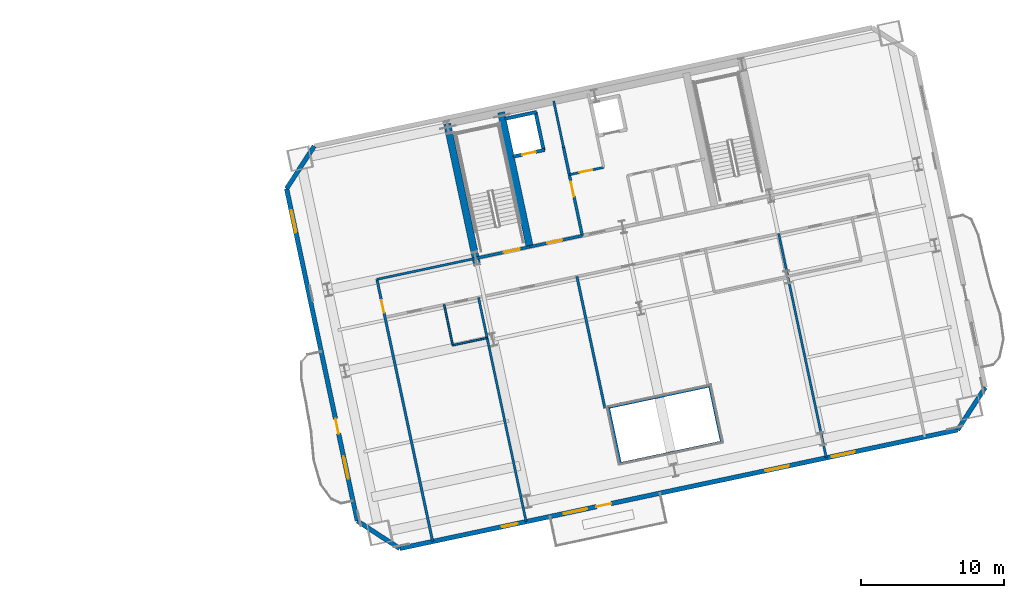
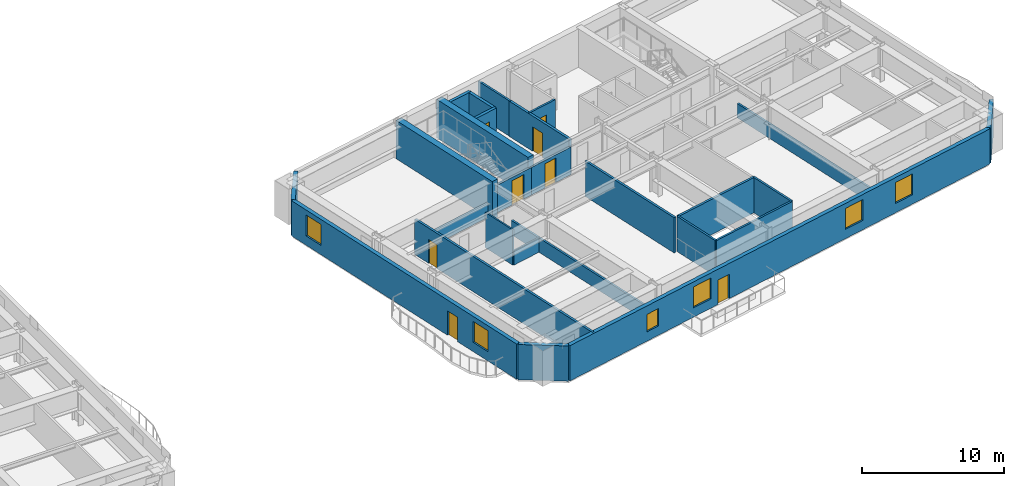
# One storey, part 9 of 16: 26 walls, 8 doors, 6 windows, 14 openings.
"""IFC4 building model written with IfcOpenShell, lengths in metres."""

from ifc_helpers import new_model, si_unit, direction, frame, frame_2d, origin, place, context, subcontext, project, spatial, rectangle, extrude, material, layer, layer_set, type_object, element, fill, save


model = new_model("IFC4")

# Units and contexts
model_context = context("Model", 3, precision=1e-05, world=origin(), true_north=direction((0.0, 1.0)))
body_context = subcontext(model_context, "Body", "Model", "MODEL_VIEW")
ifc_project = project(units=[si_unit("LENGTHUNIT", "METRE"), si_unit("AREAUNIT", "SQUARE_METRE"), si_unit("VOLUMEUNIT", "CUBIC_METRE"), si_unit("PLANEANGLEUNIT", "RADIAN"), si_unit("MASSUNIT", "GRAM", prefix="KILO")], contexts=[model_context])

# Site, building, storey
site_placement = place(None, origin())
site = spatial("IfcSite", under=ifc_project, at=site_placement, CompositionType="ELEMENT")
building_placement = place(site_placement, origin())
building = spatial("IfcBuilding", under=site, at=building_placement, Name="Haevon Station Towers", CompositionType="ELEMENT")
storey_placement = place(building_placement, frame((0.0, 0.0, 90.0)))
storey = spatial("IfcBuildingStorey", under=building, at=storey_placement, Name="L23", CompositionType="ELEMENT", Elevation=90.0)

# Wall, opening, door
ifc_material_1 = material(Name="Gypsum board on steel stud", Category="steel")
ifc_layer_1 = layer(ifc_material_1, 0.179931640625)
ifc_layer_set_1 = layer_set([ifc_layer_1], Name="Gypsum board on steel stud")
wall_type_1 = type_object("IfcWallType", Name="WL-ACU180", PredefinedType="PARTITIONING", material=ifc_layer_set_1)
wall_1_placement = place(storey_placement, frame((95.744384765625, 17.685302734375, 0.0), z_axis=(0.0, 0.0, 1.0), x_axis=(-0.207912313426, 0.978147468394, 0.0)))
wall_1 = element("IfcWall", 1, at=wall_1_placement, inside=storey, type_object=wall_type_1, Name="WL-T2PT-L23-03", PredefinedType="PARTITIONING", context=body_context, shape_type="SweptSolid", body=[
    extrude(rectangle(XDim=18.699951171875, YDim=0.179931640625, at=frame_2d((9.35009765625, 0.0))), origin(), (0.0, 0.0, 1.0), 3.030029296875),
])
opening_1_placement = place(wall_1_placement, frame((16.320068359375, 0.0, 0.0)))
opening_1 = element("IfcOpeningElement", 2, at=opening_1_placement, cuts=wall_1, Name="Opening DR-WL-T2PT-L23-03-01", PredefinedType="OPENING", context=body_context, shape_type="SweptSolid", body=[
    extrude(rectangle(XDim=0.89990234375, YDim=2.050048828125, at=frame_2d((0.449951171875, 1.02490234375))), frame((0.0, 0.099853515625, 0.0), z_axis=(0.0, -1.0, 0.0), x_axis=(1.0, 0.0, 0.0)), (0.0, 0.0, 1.0), 0.199951171875),
])
ifc_material_2 = material(Name="Engineered oak timber", Category="wood")
door_type_1 = type_object("IfcDoorType", Name="DR-INT-900", OperationType="NOTDEFINED", PredefinedType="DOOR", material=ifc_material_2)
door_1_placement = place(opening_1_placement, origin())
door_1 = element("IfcDoor", 3, at=door_1_placement, inside=storey, type_object=door_type_1, Name="L23 Tower 2 Room Door 3-1", OperationType="SINGLE_SWING_LEFT", OverallHeight=2.050048828125, OverallWidth=0.89990234375, PredefinedType="DOOR", context=body_context, shape_type="SweptSolid", body=[
    extrude(rectangle(XDim=0.89990234375, YDim=2.050048828125, at=frame_2d((0.449951171875, 1.02490234375))), frame((0.0, 0.02490234375, 0.0), z_axis=(0.0, -1.0, 0.0), x_axis=(1.0, 0.0, 0.0)), (0.0, 0.0, 1.0), 0.050048828125),
])
fill(opening_1, door_1)

# Walls
wall_2_placement = place(storey_placement, frame((108.017333984375, 27.04150390625, 0.0), z_axis=(0.0, 0.0, 1.0), x_axis=(0.978151869997, 0.207891604498, 0.0)))
element("IfcWall", 4, at=wall_2_placement, inside=storey, type_object=wall_type_1, Name="WL-T2PT-L23-06", PredefinedType="PARTITIONING", context=body_context, shape_type="SweptSolid", body=[
    extrude(rectangle(XDim=7.199951171875, YDim=0.179931640625, at=frame_2d((3.60009765625, 0.0))), origin(), (0.0, 0.0, 1.0), 3.030029296875),
])
wall_3_placement = place(storey_placement, frame((107.761962890625, 26.987060546875, 0.0), z_axis=(0.0, 0.0, 1.0), x_axis=(-0.207909388017, 0.978148090206, 0.0)))
element("IfcWall", 5, at=wall_3_placement, inside=storey, type_object=wall_type_1, Name="WL-T2PT-L23-12", PredefinedType="PARTITIONING", context=body_context, shape_type="SweptSolid", body=[
    extrude(rectangle(XDim=9.39990234375, YDim=0.179931640625, at=frame_2d((4.699951171875, 0.0))), origin(), (0.0, 0.0, 1.0), 3.030029296875),
])

# Wall, opening, door
ifc_layer_2 = layer(ifc_material_1, 0.199951171875)
ifc_layer_set_2 = layer_set([ifc_layer_2], Name="Gypsum board on steel stud")
wall_type_2 = type_object("IfcWallType", Name="WL-COR200", PredefinedType="PARTITIONING", material=ifc_layer_set_2)
wall_4_placement = place(storey_placement, frame((98.75244140625, 37.4423828125, 0.0), z_axis=(0.0, 0.0, 1.0), x_axis=(0.978143537786, 0.207930804564, 0.0)))
wall_4 = element("IfcWall", 6, at=wall_4_placement, inside=storey, type_object=wall_type_2, Name="WL-ST-ST3-L23", PredefinedType="PARTITIONING", context=body_context, shape_type="SweptSolid", body=[
    extrude(rectangle(XDim=3.85009765625, YDim=0.199951171875, at=frame_2d((1.925048828125, 0.0))), origin(), (0.0, 0.0, 1.0), 2.3798828125),
])
opening_2_placement = place(wall_4_placement, frame((2.0, 0.0, 0.0)))
opening_2 = element("IfcOpeningElement", 7, at=opening_2_placement, cuts=wall_4, Name="Opening DR-ST-ST3-L23", PredefinedType="OPENING", context=body_context, shape_type="SweptSolid", body=[
    extrude(rectangle(XDim=1.1201171875, YDim=2.10009765625, at=frame_2d((0.56005859375, 1.050048828125))), frame((0.0, 0.10986328125, 0.0), z_axis=(0.0, -1.0, 0.0), x_axis=(1.0, 0.0, 0.0)), (0.0, 0.0, 1.0), 0.219970703125),
])
door_type_2 = type_object("IfcDoorType", Name="DR-ST-1120", OperationType="NOTDEFINED", PredefinedType="DOOR", material=ifc_material_2)
door_2_placement = place(opening_2_placement, origin())
door_2 = element("IfcDoor", 8, at=door_2_placement, inside=storey, type_object=door_type_2, Name="L23 Escape Stair ST3 Fire Door", OperationType="SINGLE_SWING_LEFT", OverallHeight=2.10009765625, OverallWidth=1.1201171875, PredefinedType="DOOR", context=body_context, shape_type="SweptSolid", body=[
    extrude(rectangle(XDim=1.1201171875, YDim=2.10009765625, at=frame_2d((0.56005859375, 1.050048828125))), frame((0.0, 0.02490234375, 0.0), z_axis=(0.0, -1.0, 0.0), x_axis=(1.0, 0.0, 0.0)), (0.0, 0.0, 1.0), 0.050048828125),
])
fill(opening_2, door_2)

wall_5_placement = place(storey_placement, frame((106.186279296875, 39.0224609375, 0.0), z_axis=(0.0, 0.0, 1.0), x_axis=(-0.207916691923, 0.978146537703, 0.0)))
wall_5 = element("IfcWall", 9, at=wall_5_placement, inside=storey, type_object=wall_type_2, Name="WL-T2FFL-L23-E", PredefinedType="PARTITIONING", context=body_context, shape_type="SweptSolid", body=[
    extrude(rectangle(XDim=6.35009765625, YDim=0.199951171875, at=frame_2d((3.175048828125, 0.0))), origin(), (0.0, 0.0, 1.0), 3.030029296875),
])
opening_3_placement = place(wall_5_placement, frame((2.800048828125, 0.0, 0.0)))
opening_3 = element("IfcOpeningElement", 10, at=opening_3_placement, cuts=wall_5, Name="Opening DR-T2FFL-L23-E", PredefinedType="OPENING", context=body_context, shape_type="SweptSolid", body=[
    extrude(rectangle(XDim=1.050048828125, YDim=2.10009765625, at=frame_2d((0.52490234375, 1.050048828125))), frame((0.0, 0.10986328125, 0.0), z_axis=(0.0, -1.0, 0.0), x_axis=(1.0, 0.0, 0.0)), (0.0, 0.0, 1.0), 0.219970703125),
])
door_type_3 = type_object("IfcDoorType", Name="DR-FD60-1050", OperationType="NOTDEFINED", PredefinedType="DOOR", material=ifc_material_2)
door_3_placement = place(opening_3_placement, origin())
door_3 = element("IfcDoor", 11, at=door_3_placement, inside=storey, type_object=door_type_3, Name="L23 Tower 2 Firefighting Lift Lobby Door E", OperationType="SINGLE_SWING_LEFT", OverallHeight=2.10009765625, OverallWidth=1.050048828125, PredefinedType="DOOR", context=body_context, shape_type="SweptSolid", body=[
    extrude(rectangle(XDim=1.050048828125, YDim=2.10009765625, at=frame_2d((0.52490234375, 1.050048828125))), frame((0.0, 0.02490234375, 0.0), z_axis=(0.0, -1.0, 0.0), x_axis=(1.0, 0.0, 0.0)), (0.0, 0.0, 1.0), 0.050048828125),
])
fill(opening_3, door_3)

wall_6_placement = place(storey_placement, frame((102.518310546875, 38.242919921875, 0.0), z_axis=(0.0, 0.0, 1.0), x_axis=(0.978153555683, 0.20788367301, 0.0)))
wall_6 = element("IfcWall", 12, at=wall_6_placement, inside=storey, type_object=wall_type_2, Name="WL-T2FFL-L23-S", PredefinedType="PARTITIONING", context=body_context, shape_type="SweptSolid", body=[
    extrude(rectangle(XDim=3.75, YDim=0.199951171875, at=frame_2d((1.875, 0.0))), origin(), (0.0, 0.0, 1.0), 2.3798828125),
])
opening_4_placement = place(wall_6_placement, frame((1.25, 0.0, 0.0)))
opening_4 = element("IfcOpeningElement", 13, at=opening_4_placement, cuts=wall_6, Name="Opening DR-T2FFL-L23-S", PredefinedType="OPENING", context=body_context, shape_type="SweptSolid", body=[
    extrude(rectangle(XDim=1.050048828125, YDim=2.10009765625, at=frame_2d((0.52490234375, 1.050048828125))), frame((0.0, 0.10986328125, 0.0), z_axis=(0.0, -1.0, 0.0), x_axis=(1.0, 0.0, 0.0)), (0.0, 0.0, 1.0), 0.219970703125),
])
door_4_placement = place(opening_4_placement, origin())
door_4 = element("IfcDoor", 14, at=door_4_placement, inside=storey, type_object=door_type_3, Name="L23 Tower 2 Firefighting Lift Lobby Door S", OperationType="SINGLE_SWING_RIGHT", OverallHeight=2.10009765625, OverallWidth=1.050048828125, PredefinedType="DOOR", context=body_context, shape_type="SweptSolid", body=[
    extrude(rectangle(XDim=1.050048828125, YDim=2.10009765625, at=frame_2d((0.52490234375, 1.050048828125))), frame((0.0, 0.02490234375, 0.0), z_axis=(0.0, -1.0, 0.0), x_axis=(1.0, 0.0, 0.0)), (0.0, 0.0, 1.0), 0.050048828125),
])
fill(opening_4, door_4)

# Walls
ifc_material_3 = material(Name="Concrete C60/75", Category="concrete")
ifc_layer_3 = layer(ifc_material_3, 0.5)
ifc_layer_set_3 = layer_set([ifc_layer_3], Name="Concrete C60/75")
wall_type_3 = type_object("IfcWallType", Name="WL-CR500", PredefinedType="SHEAR", material=ifc_layer_set_3)
wall_7_placement = place(storey_placement, frame((98.8603515625, 36.933837890625, 0.0), z_axis=(0.0, 0.0, 1.0), x_axis=(-0.20790924889, 0.978148119778, 0.0)))
element("IfcWall", 15, at=wall_7_placement, inside=storey, type_object=wall_type_3, Name="WL-T2CR-L23-W", PredefinedType="SHEAR", context=body_context, shape_type="SweptSolid", body=[
    extrude(rectangle(XDim=10.119873046875, YDim=0.5, at=frame_2d((5.06005859375, 0.0))), origin(), (0.0, 0.0, 1.0), 3.300048828125),
])
wall_8_placement = place(storey_placement, frame((102.518310546875, 38.242919921875, 0.0), z_axis=(0.0, 0.0, 1.0), x_axis=(-0.207927495108, 0.978144241295, 0.0)))
element("IfcWall", 16, at=wall_8_placement, inside=storey, type_object=wall_type_3, Name="WL-T2CR-L23-M1", PredefinedType="SHEAR", context=body_context, shape_type="SweptSolid", body=[
    extrude(rectangle(XDim=9.599853515625, YDim=0.5, at=frame_2d((4.7998046875, 0.0))), origin(), (0.0, 0.0, 1.0), 3.300048828125),
])

# Wall, openings, door, windows
ifc_material_4 = material(Name="Precast concrete C45/55", Category="concrete")
ifc_layer_4 = layer(ifc_material_4, 0.320068359375)
ifc_layer_set_4 = layer_set([ifc_layer_4], Name="Precast concrete C45/55")
wall_type_4 = type_object("IfcWallType", Name="WL-EXT-PIER320", PredefinedType="SOLIDWALL", material=ifc_layer_set_4)
wall_9_placement = place(storey_placement, frame((132.3759765625, 25.4716796875, 0.0), z_axis=(0.0, 0.0, 1.0), x_axis=(-0.978147406386, -0.20791260515, 0.0)))
wall_9 = element("IfcWall", 17, at=wall_9_placement, inside=storey, type_object=wall_type_4, Name="WL-T2-L23-S", PredefinedType="SOLIDWALL", context=body_context, shape_type="SweptSolid", body=[
    extrude(rectangle(XDim=39.7998046875, YDim=0.320068359375, at=frame_2d((19.89990234375, 0.0))), origin(), (0.0, 0.0, 1.0), 3.030029296875),
])
opening_5_placement = place(wall_9_placement, frame((24.71826171875, 0.0, 0.0)))
opening_5 = element("IfcOpeningElement", 18, at=opening_5_placement, cuts=wall_9, Name="Opening DR-T2-PBAND-L23-1", PredefinedType="OPENING", context=body_context, shape_type="SweptSolid", body=[
    extrude(rectangle(XDim=1.050048828125, YDim=2.10009765625, at=frame_2d((0.52490234375, 1.050048828125))), frame((0.0, 0.169921875, 0.0), z_axis=(0.0, -1.0, 0.0), x_axis=(1.0, 0.0, 0.0)), (0.0, 0.0, 1.0), 0.340087890625),
])
opening_6_placement = place(wall_9_placement, frame((31.4013671875, 0.0, 0.800048828125)))
opening_6 = element("IfcOpeningElement", 19, at=opening_6_placement, cuts=wall_9, Name="Opening WN-COR110", PredefinedType="OPENING", context=body_context, shape_type="SweptSolid", body=[
    extrude(rectangle(XDim=1.10009765625, YDim=1.5, at=frame_2d((0.550048828125, 0.75))), frame((0.0, 0.169921875, 0.0), z_axis=(0.0, -1.0, 0.0), x_axis=(1.0, 0.0, 0.0)), (0.0, 0.0, 1.0), 0.340087890625),
])
opening_7_placement = place(wall_9_placement, frame((26.446044921875, 0.0, 0.800048828125)))
opening_7 = element("IfcOpeningElement", 20, at=opening_7_placement, cuts=wall_9, Name="Opening WN-P165", PredefinedType="OPENING", context=body_context, shape_type="SweptSolid", body=[
    extrude(rectangle(XDim=1.64990234375, YDim=1.800048828125, at=frame_2d((0.824951171875, 0.89990234375))), frame((0.0, 0.169921875, 0.0), z_axis=(0.0, -1.0, 0.0), x_axis=(1.0, 0.0, 0.0)), (0.0, 0.0, 1.0), 0.340087890625),
])
opening_8_placement = place(wall_9_placement, frame((12.054931640625, 0.0, 0.800048828125)))
opening_8 = element("IfcOpeningElement", 21, at=opening_8_placement, cuts=wall_9, Name="Opening WN-P165", PredefinedType="OPENING", context=body_context, shape_type="SweptSolid", body=[
    extrude(rectangle(XDim=1.64990234375, YDim=1.800048828125, at=frame_2d((0.824951171875, 0.89990234375))), frame((0.0, 0.169921875, 0.0), z_axis=(0.0, -1.0, 0.0), x_axis=(1.0, 0.0, 0.0)), (0.0, 0.0, 1.0), 0.340087890625),
])
opening_9_placement = place(wall_9_placement, frame((7.340087890625, 0.0, 0.800048828125)))
opening_9 = element("IfcOpeningElement", 22, at=opening_9_placement, cuts=wall_9, Name="Opening WN-P165", PredefinedType="OPENING", context=body_context, shape_type="SweptSolid", body=[
    extrude(rectangle(XDim=1.64990234375, YDim=1.800048828125, at=frame_2d((0.824951171875, 0.89990234375))), frame((0.0, 0.169921875, 0.0), z_axis=(0.0, -1.0, 0.0), x_axis=(1.0, 0.0, 0.0)), (0.0, 0.0, 1.0), 0.340087890625),
])
ifc_material_5 = material(Name="Thermally broken anodised aluminium and laminated safety glass", Category="aluminium")
door_type_4 = type_object("IfcDoorType", Name="DR-BALC-1050", OperationType="NOTDEFINED", PredefinedType="DOOR", material=ifc_material_5)
door_5_placement = place(opening_5_placement, origin())
door_5 = element("IfcDoor", 23, at=door_5_placement, inside=storey, type_object=door_type_4, Name="Tower 2 L23 Balcony Terrace Door", OperationType="SINGLE_SWING_LEFT", OverallHeight=2.10009765625, OverallWidth=1.050048828125, PredefinedType="DOOR", context=body_context, shape_type="SweptSolid", body=[
    extrude(rectangle(XDim=1.050048828125, YDim=2.10009765625, at=frame_2d((0.52490234375, 1.050048828125))), frame((0.0, 0.02490234375, 0.0), z_axis=(0.0, -1.0, 0.0), x_axis=(1.0, 0.0, 0.0)), (0.0, 0.0, 1.0), 0.050048828125),
])
fill(opening_5, door_5)
ifc_material_6 = material(Name="Low-E triple glazing in thermally broken aluminium", Category="aluminium")
window_type_1 = type_object("IfcWindowType", Name="WN-COR110", PartitioningType="SINGLE_PANEL", PredefinedType="WINDOW", material=ifc_material_6)
window_1_placement = place(opening_6_placement, origin())
window_1 = element("IfcWindow", 24, at=window_1_placement, inside=storey, type_object=window_type_1, Name="WN-T2-L23-S01", OverallHeight=1.5, OverallWidth=1.10009765625, PartitioningType="SINGLE_PANEL", PredefinedType="WINDOW", context=body_context, shape_type="SweptSolid", body=[
    extrude(rectangle(XDim=1.10009765625, YDim=1.5, at=frame_2d((0.550048828125, 0.75))), frame((0.0, 0.030029296875, 0.0), z_axis=(0.0, -1.0, 0.0), x_axis=(1.0, 0.0, 0.0)), (0.0, 0.0, 1.0), 0.06005859375),
])
fill(opening_6, window_1)
window_type_2 = type_object("IfcWindowType", Name="WN-P165", PartitioningType="SINGLE_PANEL", PredefinedType="WINDOW", material=ifc_material_6)
window_2_placement = place(opening_7_placement, origin())
window_2 = element("IfcWindow", 25, at=window_2_placement, inside=storey, type_object=window_type_2, Name="WN-T2-L23-S02", OverallHeight=1.800048828125, OverallWidth=1.64990234375, PartitioningType="SINGLE_PANEL", PredefinedType="WINDOW", context=body_context, shape_type="SweptSolid", body=[
    extrude(rectangle(XDim=1.64990234375, YDim=1.800048828125, at=frame_2d((0.824951171875, 0.89990234375))), frame((0.0, 0.030029296875, 0.0), z_axis=(0.0, -1.0, 0.0), x_axis=(1.0, 0.0, 0.0)), (0.0, 0.0, 1.0), 0.06005859375),
])
fill(opening_7, window_2)
window_3_placement = place(opening_8_placement, origin())
window_3 = element("IfcWindow", 26, at=window_3_placement, inside=storey, type_object=window_type_2, Name="WN-T2-L23-S03", OverallHeight=1.800048828125, OverallWidth=1.64990234375, PartitioningType="SINGLE_PANEL", PredefinedType="WINDOW", context=body_context, shape_type="SweptSolid", body=[
    extrude(rectangle(XDim=1.64990234375, YDim=1.800048828125, at=frame_2d((0.824951171875, 0.89990234375))), frame((0.0, 0.030029296875, 0.0), z_axis=(0.0, -1.0, 0.0), x_axis=(1.0, 0.0, 0.0)), (0.0, 0.0, 1.0), 0.06005859375),
])
fill(opening_8, window_3)
window_4_placement = place(opening_9_placement, origin())
window_4 = element("IfcWindow", 27, at=window_4_placement, inside=storey, type_object=window_type_2, Name="WN-T2-L23-S04", OverallHeight=1.800048828125, OverallWidth=1.64990234375, PartitioningType="SINGLE_PANEL", PredefinedType="WINDOW", context=body_context, shape_type="SweptSolid", body=[
    extrude(rectangle(XDim=1.64990234375, YDim=1.800048828125, at=frame_2d((0.824951171875, 0.89990234375))), frame((0.0, 0.030029296875, 0.0), z_axis=(0.0, -1.0, 0.0), x_axis=(1.0, 0.0, 0.0)), (0.0, 0.0, 1.0), 0.06005859375),
])
fill(opening_9, window_4)

# Wall
wall_10_placement = place(storey_placement, frame((93.44580078125, 17.19677734375, 0.0), z_axis=(0.0, 0.0, 1.0), x_axis=(-0.838692791597, 0.544604812064, 0.0)))
element("IfcWall", 28, at=wall_10_placement, inside=storey, type_object=wall_type_4, Name="WL-T2-L23-SWC", PredefinedType="SOLIDWALL", context=body_context, shape_type="SweptSolid", body=[
    extrude(rectangle(XDim=3.53564453125, YDim=0.320068359375, at=frame_2d((1.767822265625, 0.0))), origin(), (0.0, 0.0, 1.0), 3.030029296875),
])

# Wall, openings, door, windows
wall_11_placement = place(storey_placement, frame((90.48046875, 19.122314453125, 0.0), z_axis=(0.0, 0.0, 1.0), x_axis=(-0.20791074704, 0.978147801339, 0.0)))
wall_11 = element("IfcWall", 29, at=wall_11_placement, inside=storey, type_object=wall_type_4, Name="WL-T2-L23-W", PredefinedType="SOLIDWALL", context=body_context, shape_type="SweptSolid", body=[
    extrude(rectangle(XDim=23.699951171875, YDim=0.320068359375, at=frame_2d((11.85009765625, 0.0))), origin(), (0.0, 0.0, 1.0), 3.030029296875),
])
opening_10_placement = place(wall_11_placement, frame((6.22509765625, 0.0, 0.0)))
opening_10 = element("IfcOpeningElement", 30, at=opening_10_placement, cuts=wall_11, Name="Opening DR-T2-SCAL-L23-W", PredefinedType="OPENING", context=body_context, shape_type="SweptSolid", body=[
    extrude(rectangle(XDim=1.050048828125, YDim=2.10009765625, at=frame_2d((0.52490234375, 1.050048828125))), frame((0.0, 0.169921875, 0.0), z_axis=(0.0, -1.0, 0.0), x_axis=(1.0, 0.0, 0.0)), (0.0, 0.0, 1.0), 0.340087890625),
])
opening_11_placement = place(wall_11_placement, frame((2.996337890625, 0.0, 0.800048828125)))
opening_11 = element("IfcOpeningElement", 31, at=opening_11_placement, cuts=wall_11, Name="Opening WN-END160", PredefinedType="OPENING", context=body_context, shape_type="SweptSolid", body=[
    extrude(rectangle(XDim=1.60009765625, YDim=1.800048828125, at=frame_2d((0.800048828125, 0.89990234375))), frame((0.0, 0.169921875, 0.0), z_axis=(0.0, -1.0, 0.0), x_axis=(1.0, 0.0, 0.0)), (0.0, 0.0, 1.0), 0.340087890625),
])
opening_12_placement = place(wall_11_placement, frame((20.56787109375, 0.0, 0.800048828125)))
opening_12 = element("IfcOpeningElement", 32, at=opening_12_placement, cuts=wall_11, Name="Opening WN-END160", PredefinedType="OPENING", context=body_context, shape_type="SweptSolid", body=[
    extrude(rectangle(XDim=1.60009765625, YDim=1.800048828125, at=frame_2d((0.800048828125, 0.89990234375))), frame((0.0, 0.169921875, 0.0), z_axis=(0.0, -1.0, 0.0), x_axis=(1.0, 0.0, 0.0)), (0.0, 0.0, 1.0), 0.340087890625),
])
door_6_placement = place(opening_10_placement, origin())
door_6 = element("IfcDoor", 33, at=door_6_placement, inside=storey, type_object=door_type_4, Name="Tower 2 L23 West Scalloped Balcony Door", OperationType="SINGLE_SWING_RIGHT", OverallHeight=2.10009765625, OverallWidth=1.050048828125, PredefinedType="DOOR", context=body_context, shape_type="SweptSolid", body=[
    extrude(rectangle(XDim=1.050048828125, YDim=2.10009765625, at=frame_2d((0.52490234375, 1.050048828125))), frame((0.0, 0.02490234375, 0.0), z_axis=(0.0, -1.0, 0.0), x_axis=(1.0, 0.0, 0.0)), (0.0, 0.0, 1.0), 0.050048828125),
])
fill(opening_10, door_6)
window_type_3 = type_object("IfcWindowType", Name="WN-END160", PartitioningType="SINGLE_PANEL", PredefinedType="WINDOW", material=ifc_material_6)
window_5_placement = place(opening_11_placement, origin())
window_5 = element("IfcWindow", 34, at=window_5_placement, inside=storey, type_object=window_type_3, Name="WN-T2-L23-W01", OverallHeight=1.800048828125, OverallWidth=1.60009765625, PartitioningType="SINGLE_PANEL", PredefinedType="WINDOW", context=body_context, shape_type="SweptSolid", body=[
    extrude(rectangle(XDim=1.60009765625, YDim=1.800048828125, at=frame_2d((0.800048828125, 0.89990234375))), frame((0.0, 0.030029296875, 0.0), z_axis=(0.0, -1.0, 0.0), x_axis=(1.0, 0.0, 0.0)), (0.0, 0.0, 1.0), 0.06005859375),
])
fill(opening_11, window_5)
window_6_placement = place(opening_12_placement, origin())
window_6 = element("IfcWindow", 35, at=window_6_placement, inside=storey, type_object=window_type_3, Name="WN-T2-L23-W02", OverallHeight=1.800048828125, OverallWidth=1.60009765625, PartitioningType="SINGLE_PANEL", PredefinedType="WINDOW", context=body_context, shape_type="SweptSolid", body=[
    extrude(rectangle(XDim=1.60009765625, YDim=1.800048828125, at=frame_2d((0.800048828125, 0.89990234375))), frame((0.0, 0.030029296875, 0.0), z_axis=(0.0, -1.0, 0.0), x_axis=(1.0, 0.0, 0.0)), (0.0, 0.0, 1.0), 0.06005859375),
])
fill(opening_12, window_6)

# Walls
wall_12_placement = place(storey_placement, frame((85.552978515625, 42.304443359375, 0.0), z_axis=(0.0, 0.0, 1.0), x_axis=(0.544684921471, 0.838640767148, 0.0)))
element("IfcWall", 36, at=wall_12_placement, inside=storey, type_object=wall_type_4, Name="WL-T2-L23-NWC", PredefinedType="SOLIDWALL", context=body_context, shape_type="SweptSolid", body=[
    extrude(rectangle(XDim=3.53564453125, YDim=0.320068359375, at=frame_2d((1.767822265625, 0.0))), origin(), (0.0, 0.0, 1.0), 3.030029296875),
])
wall_13_placement = place(storey_placement, frame((134.301513671875, 28.436767578125, 0.0), z_axis=(0.0, 0.0, 1.0), x_axis=(-0.544636352948, -0.838672309694, 0.0)))
element("IfcWall", 37, at=wall_13_placement, inside=storey, type_object=wall_type_4, Name="WL-T2-L23-SEC", PredefinedType="SOLIDWALL", context=body_context, shape_type="SweptSolid", body=[
    extrude(rectangle(XDim=3.535400390625, YDim=0.320068359375, at=frame_2d((1.767578125, 0.0))), origin(), (0.0, 0.0, 1.0), 3.030029296875),
])
ifc_layer_5 = layer(ifc_material_1, 0.125)
ifc_layer_set_5 = layer_set([ifc_layer_5], Name="Gypsum board on steel stud")
wall_type_5 = type_object("IfcWallType", Name="WL-PRT125", PredefinedType="PARTITIONING", material=ifc_layer_set_5)
wall_14_placement = place(storey_placement, frame((97.1474609375, 31.376220703125, 0.0), z_axis=(0.0, 0.0, 1.0), x_axis=(0.978156824814, 0.207868290196, 0.0)))
element("IfcWall", 38, at=wall_14_placement, inside=storey, type_object=wall_type_5, Name="WL-T2PT-L23-09", PredefinedType="PARTITIONING", context=body_context, shape_type="SweptSolid", body=[
    extrude(rectangle(XDim=2.449951171875, YDim=0.125, at=frame_2d((1.22509765625, 0.0))), origin(), (0.0, 0.0, 1.0), 1.22998046875),
])
wall_15_placement = place(storey_placement, frame((97.1474609375, 31.376220703125, 0.0), z_axis=(0.0, 0.0, 1.0), x_axis=(-0.207855735235, 0.978159492787, 0.0)))
element("IfcWall", 39, at=wall_15_placement, inside=storey, type_object=wall_type_5, Name="WL-T2PT-L23-10", PredefinedType="PARTITIONING", context=body_context, shape_type="SweptSolid", body=[
    extrude(rectangle(XDim=2.89990234375, YDim=0.125, at=frame_2d((1.449951171875, 0.0))), origin(), (0.0, 0.0, 1.0), 3.030029296875),
])
ifc_layer_6 = layer(ifc_material_1, 0.159912109375)
ifc_layer_set_6 = layer_set([ifc_layer_6], Name="Gypsum board on steel stud")
wall_type_6 = type_object("IfcWallType", Name="WL-PRT160", PredefinedType="PARTITIONING", material=ifc_layer_set_6)
wall_16_placement = place(storey_placement, frame((104.88671875, 45.135986328125, 0.0), z_axis=(0.0, 0.0, 1.0), x_axis=(-0.207846553267, 0.978161443881, 0.0)))
element("IfcWall", 40, at=wall_16_placement, inside=storey, type_object=wall_type_6, Name="WL-T2CW-L23-01", PredefinedType="PARTITIONING", context=body_context, shape_type="SweptSolid", body=[
    extrude(rectangle(XDim=3.35009765625, YDim=0.159912109375, at=frame_2d((1.675048828125, 0.0))), origin(), (0.0, 0.0, 1.0), 3.030029296875),
])

# Wall, opening, door
wall_17_placement = place(storey_placement, frame((105.28173828125, 43.277587890625, 0.0), z_axis=(0.0, 0.0, 1.0), x_axis=(0.978156824814, 0.207868290196, 0.0)))
wall_17 = element("IfcWall", 41, at=wall_17_placement, inside=storey, type_object=wall_type_6, Name="WL-T2CW-L23-02", PredefinedType="PARTITIONING", context=body_context, shape_type="SweptSolid", body=[
    extrude(rectangle(XDim=2.449951171875, YDim=0.159912109375, at=frame_2d((1.22509765625, 0.0))), origin(), (0.0, 0.0, 1.0), 3.030029296875),
])
opening_13_placement = place(wall_17_placement, frame((0.719970703125, 0.0, 0.0)))
opening_13 = element("IfcOpeningElement", 42, at=opening_13_placement, cuts=wall_17, Name="Opening DR-WL-T2CW-L23-02-1", PredefinedType="OPENING", context=body_context, shape_type="SweptSolid", body=[
    extrude(rectangle(XDim=0.89990234375, YDim=2.10009765625, at=frame_2d((0.449951171875, 1.050048828125))), frame((0.0, 0.08984375, 0.0), z_axis=(0.0, -1.0, 0.0), x_axis=(1.0, 0.0, 0.0)), (0.0, 0.0, 1.0), 0.179931640625),
])
door_type_5 = type_object("IfcDoorType", Name="DR-FD60-900", OperationType="NOTDEFINED", PredefinedType="DOOR", material=ifc_material_2)
door_7_placement = place(opening_13_placement, origin())
door_7 = element("IfcDoor", 43, at=door_7_placement, inside=storey, type_object=door_type_5, Name="L23 Tower 2 Core Room Door 2-1", OperationType="SINGLE_SWING_LEFT", OverallHeight=2.10009765625, OverallWidth=0.89990234375, PredefinedType="DOOR", context=body_context, shape_type="SweptSolid", body=[
    extrude(rectangle(XDim=0.89990234375, YDim=2.10009765625, at=frame_2d((0.449951171875, 1.050048828125))), frame((0.0, 0.02490234375, 0.0), z_axis=(0.0, -1.0, 0.0), x_axis=(1.0, 0.0, 0.0)), (0.0, 0.0, 1.0), 0.050048828125),
])
fill(opening_13, door_7)

# Walls
wall_18_placement = place(storey_placement, frame((91.8564453125, 35.9765625, 0.0), z_axis=(0.0, 0.0, 1.0), x_axis=(0.978146703791, 0.207915910556, 0.0)))
element("IfcWall", 44, at=wall_18_placement, inside=storey, type_object=wall_type_6, Name="WL-T2PT-L23-01", PredefinedType="PARTITIONING", context=body_context, shape_type="SweptSolid", body=[
    extrude(rectangle(XDim=7.050048828125, YDim=0.159912109375, at=frame_2d((3.52490234375, 0.0))), origin(), (0.0, 0.0, 1.0), 1.22998046875),
])
wall_19_placement = place(storey_placement, frame((108.848876953125, 23.12890625, 0.0), z_axis=(0.0, 0.0, 1.0), x_axis=(0.978151869997, 0.207891604498, 0.0)))
element("IfcWall", 45, at=wall_19_placement, inside=storey, type_object=wall_type_6, Name="WL-T2PT-L23-05", PredefinedType="PARTITIONING", context=body_context, shape_type="SweptSolid", body=[
    extrude(rectangle(XDim=7.199951171875, YDim=0.159912109375, at=frame_2d((3.60009765625, 0.0))), origin(), (0.0, 0.0, 1.0), 3.030029296875),
])
for number, where, z_axis, x_axis, name in (
    (46, (108.848876953125, 23.12890625, 0.0), (0.0, 0.0, 1.0), (-0.207886494942, 0.978152955943, 0.0), "WL-T2PT-L23-07"),
    (47, (115.8916015625, 24.625732421875, 0.0), (0.0, 0.0, 1.0), (-0.207886494942, 0.978152955943, 0.0), "WL-T2PT-L23-08"),
):
    element("IfcWall", number, at=place(storey_placement, frame(where, z_axis=z_axis, x_axis=x_axis)), inside=storey, type_object=wall_type_6, Name=name, PredefinedType="PARTITIONING", context=body_context, shape_type="SweptSolid", body=[
        extrude(rectangle(XDim=4.0, YDim=0.159912109375, at=frame_2d((2.0, 0.0))), origin(), (0.0, 0.0, 1.0), 3.030029296875),
    ])
for number, where, z_axis, x_axis, name in (
    (48, (102.267578125, 19.07177734375, 0.0), (0.0, 0.0, 1.0), (-0.207915693476, 0.978146749934, 0.0), "WL-T2PT-L23-11"),
    (49, (123.210693359375, 23.5234375, 0.0), (0.0, 0.0, 1.0), (-0.207901094279, 0.978149853038, 0.0), "WL-T2PT-L23-17"),
):
    element("IfcWall", number, at=place(storey_placement, frame(where, z_axis=z_axis, x_axis=x_axis)), inside=storey, type_object=wall_type_6, Name=name, PredefinedType="PARTITIONING", context=body_context, shape_type="SweptSolid", body=[
        extrude(rectangle(XDim=16.0, YDim=0.159912109375, at=frame_2d((8.0, 0.0))), origin(), (0.0, 0.0, 1.0), 1.22998046875),
    ])

# Wall, opening, door
ifc_material_7 = material(Name="Concrete C40/50", Category="concrete")
ifc_layer_7 = layer(ifc_material_7, 0.239990234375)
ifc_layer_set_7 = layer_set([ifc_layer_7], Name="Concrete C40/50")
wall_type_7 = type_object("IfcWallType", Name="WL-SHF240", PredefinedType="PARTITIONING", material=ifc_layer_set_7)
wall_20_placement = place(storey_placement, frame((101.353759765625, 44.538330078125, 0.0), z_axis=(0.0, 0.0, 1.0), x_axis=(0.978141002414, 0.207942731049, 0.0)))
wall_20 = element("IfcWall", 50, at=wall_20_placement, inside=storey, type_object=wall_type_7, Name="WL-SHF-FL2-L23", PredefinedType="PARTITIONING", context=body_context, shape_type="SweptSolid", body=[
    extrude(rectangle(XDim=2.260009765625, YDim=0.239990234375, at=frame_2d((1.1298828125, 0.0))), origin(), (0.0, 0.0, 1.0), 3.030029296875),
])
opening_14_placement = place(wall_20_placement, frame((0.655029296875, 0.0, 0.0)))
opening_14 = element("IfcOpeningElement", 51, at=opening_14_placement, cuts=wall_20, Name="Opening LD-FL2-L23", PredefinedType="OPENING", context=body_context, shape_type="SweptSolid", body=[
    extrude(rectangle(XDim=0.949951171875, YDim=2.14990234375, at=frame_2d((0.47509765625, 1.074951171875))), frame((0.0, 0.1298828125, 0.0), z_axis=(0.0, -1.0, 0.0), x_axis=(1.0, 0.0, 0.0)), (0.0, 0.0, 1.0), 0.260009765625),
])
ifc_material_8 = material(Name="Stainless steel and rated core", Category="steel")
door_type_6 = type_object("IfcDoorType", Name="LD-FL950", OperationType="SLIDING_TO_LEFT", PredefinedType="DOOR", material=ifc_material_8)
door_8_placement = place(opening_14_placement, origin())
door_8 = element("IfcDoor", 52, at=door_8_placement, inside=storey, type_object=door_type_6, Name="L23 Lift FL2 Sliding Landing Door", OperationType="SLIDING_TO_LEFT", OverallHeight=2.14990234375, OverallWidth=0.949951171875, PredefinedType="DOOR", context=body_context, shape_type="SweptSolid", body=[
    extrude(rectangle(XDim=0.949951171875, YDim=2.14990234375, at=frame_2d((0.47509765625, 1.074951171875))), frame((0.0, 0.02490234375, 0.0), z_axis=(0.0, -1.0, 0.0), x_axis=(1.0, 0.0, 0.0)), (0.0, 0.0, 1.0), 0.050048828125),
])
fill(opening_14, door_8)

# Walls
wall_21_placement = place(storey_placement, frame((100.79248046875, 47.179443359375, 0.0), z_axis=(0.0, 0.0, 1.0), x_axis=(0.978162968872, 0.207839376268, 0.0)))
element("IfcWall", 53, at=wall_21_placement, inside=storey, type_object=wall_type_7, Name="WL-SHF-FL2-L23-N", PredefinedType="PARTITIONING", context=body_context, shape_type="SweptSolid", body=[
    extrude(rectangle(XDim=2.260009765625, YDim=0.239990234375, at=frame_2d((1.1298828125, 0.0))), origin(), (0.0, 0.0, 1.0), 3.030029296875),
])
wall_22_placement = place(storey_placement, frame((103.486328125, 44.99169921875, 0.0), z_axis=(0.0, 0.0, 1.0), x_axis=(-0.207978798957, 0.978133334052, 0.0)))
element("IfcWall", 54, at=wall_22_placement, inside=storey, type_object=wall_type_7, Name="WL-SHF-FL2-L23-E", PredefinedType="PARTITIONING", context=body_context, shape_type="SweptSolid", body=[
    extrude(rectangle(XDim=2.699951171875, YDim=0.239990234375, at=frame_2d((1.35009765625, 0.0))), origin(), (0.0, 0.0, 1.0), 3.030029296875),
])

save(model, "model.ifc")
